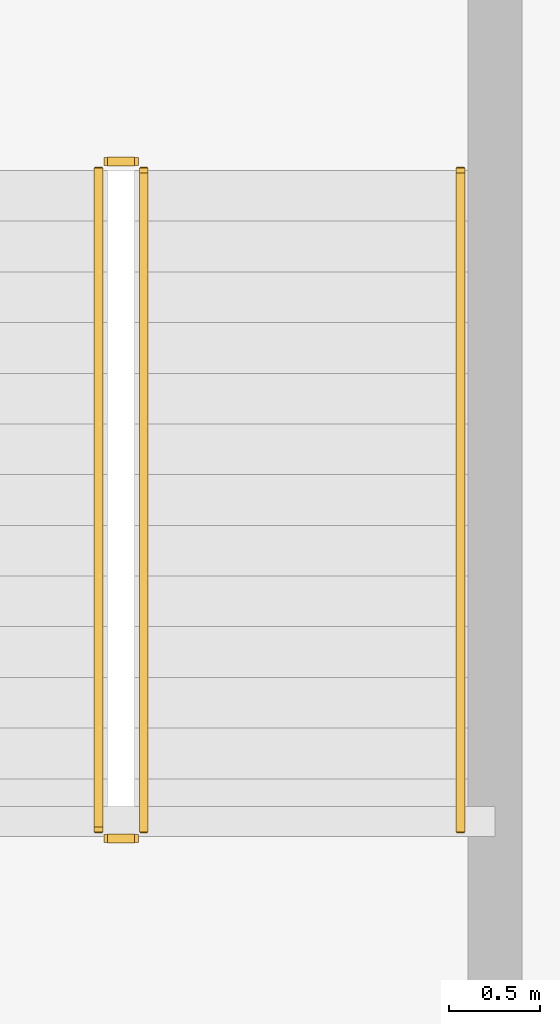
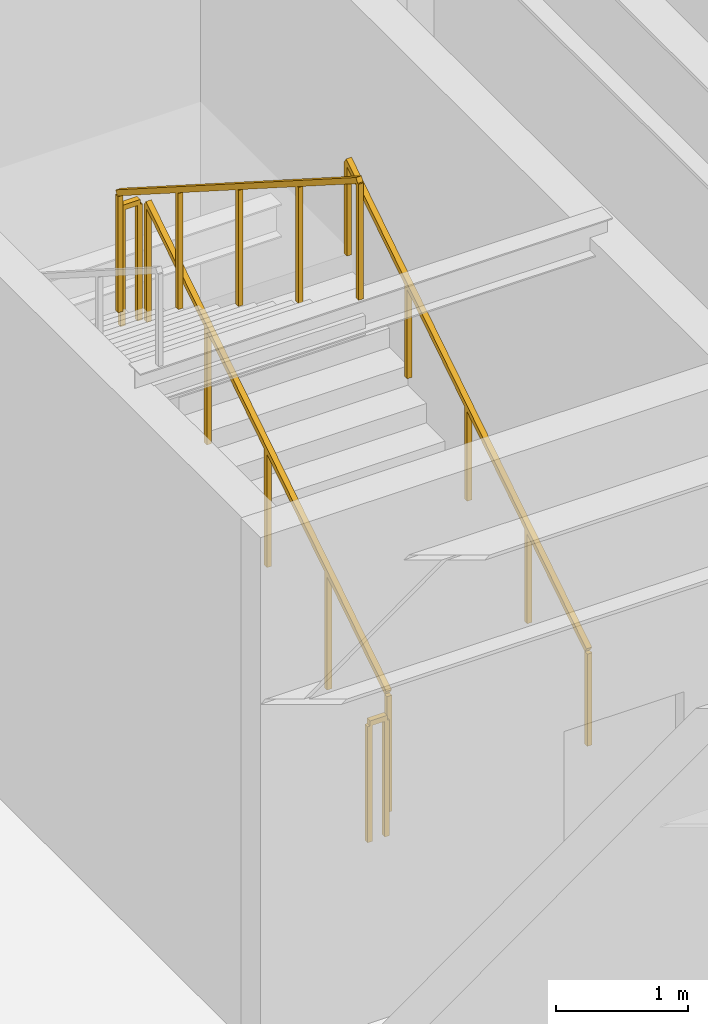
# One storey, part 24 of 24: 5 railings.
"""IFC4 building model written with IfcOpenShell, lengths in metres."""

from ifc_helpers import new_model, si_unit, direction, frame, origin, origin_2d, place, context, subcontext, project, spatial, rectangle, extrude, material, type_object, element, save


model = new_model("IFC4")

# Units and contexts
model_context = context("Model", 3, precision=1e-05, world=origin(), true_north=direction((0.0, 1.0)))
body_context = subcontext(model_context, "Body", "Model", "MODEL_VIEW")
ifc_project = project(units=[si_unit("LENGTHUNIT", "METRE"), si_unit("AREAUNIT", "SQUARE_METRE"), si_unit("VOLUMEUNIT", "CUBIC_METRE"), si_unit("PLANEANGLEUNIT", "RADIAN"), si_unit("MASSUNIT", "GRAM", prefix="KILO")], contexts=[model_context])

# Site, building, storey
site_placement = place(None, origin())
site = spatial("IfcSite", under=ifc_project, at=site_placement, CompositionType="ELEMENT")
building_placement = place(site_placement, origin())
building = spatial("IfcBuilding", under=site, at=building_placement, Name="Vantalir Tower", CompositionType="ELEMENT")
storey_placement = place(building_placement, frame((0.0, 0.0, 11.0)))
storey = spatial("IfcBuildingStorey", under=building, at=storey_placement, Name="L02", CompositionType="ELEMENT", Elevation=11.0)

# Railings
ifc_material_1 = material(Name="Anodised aluminium and stainless steel guard", Category="steel")
railing_type_1 = type_object("IfcRailingType", Name="RAL-GUARD-1120", PredefinedType="GUARDRAIL", material=ifc_material_1)
railing_1_placement = place(storey_placement, frame((57.199951171875, 40.85009765625, 0.178466796875)))
element("IfcRailing", 1, at=railing_1_placement, inside=storey, type_object=railing_type_1, Name="Level 02 PST2 stair guard 1", PredefinedType="GUARDRAIL", context=body_context, shape_type="SweptSolid", body=[
    extrude(rectangle(XDim=0.048095703125, YDim=0.048095703125, at=origin_2d()), frame((0.0, 0.0, 1.09619140625), z_axis=(0.0, 0.843111507901, 0.53773877045), x_axis=(-1.0, 0.0, 0.0)), (0.0, 0.0, 1.0), 4.317138671875),
    extrude(rectangle(XDim=0.0419921875, YDim=0.0419921875, at=origin_2d()), origin(), (0.0, 0.0, 1.0), 1.072021484375),
    extrude(rectangle(XDim=0.0419921875, YDim=0.0419921875, at=origin_2d()), frame((0.0, 0.909912109375, 0.580322265625)), (0.0, 0.0, 1.0), 1.072021484375),
    extrude(rectangle(XDim=0.0419921875, YDim=0.0419921875, at=origin_2d()), frame((0.0, 1.81982421875, 1.16064453125)), (0.0, 0.0, 1.0), 1.072021484375),
    extrude(rectangle(XDim=0.0419921875, YDim=0.0419921875, at=origin_2d()), frame((0.0, 2.72998046875, 1.7412109375)), (0.0, 0.0, 1.0), 1.072021484375),
    extrude(rectangle(XDim=0.0419921875, YDim=0.0419921875, at=origin_2d()), frame((0.0, 3.639892578125, 2.321533203125)), (0.0, 0.0, 1.0), 1.072021484375),
])
railing_2_placement = place(storey_placement, frame((57.14990234375, 44.5400390625, 2.5)))
element("IfcRailing", 2, at=railing_2_placement, inside=storey, type_object=railing_type_1, Name="Level 02 PST2 stair guard 2", PredefinedType="GUARDRAIL", context=body_context, shape_type="SweptSolid", body=[
    extrude(rectangle(XDim=0.048095703125, YDim=0.048095703125, at=origin_2d()), frame((0.0, 0.0, 1.09619140625), z_axis=(-1.0, 0.0, 0.0), x_axis=(0.0, -1.0, 0.0)), (0.0, 0.0, 1.0), 0.14990234375),
    extrude(rectangle(XDim=0.0419921875, YDim=0.0419921875, at=origin_2d()), origin(), (0.0, 0.0, 1.0), 1.072021484375),
    extrude(rectangle(XDim=0.0419921875, YDim=0.0419921875, at=origin_2d()), frame((-0.14990234375, 0.0, 0.0)), (0.0, 0.0, 1.0), 1.072021484375),
])
railing_3_placement = place(storey_placement, frame((56.949951171875, 44.489990234375, 2.678466796875)))
element("IfcRailing", 3, at=railing_3_placement, inside=storey, type_object=railing_type_1, Name="Level 02 PST2 stair guard 3", PredefinedType="GUARDRAIL", context=body_context, shape_type="SweptSolid", body=[
    extrude(rectangle(XDim=0.048095703125, YDim=0.048095703125, at=origin_2d()), frame((0.0, 0.0, 1.09619140625), z_axis=(0.0, -0.843111507901, 0.53773877045), x_axis=(1.0, 0.0, 0.0)), (0.0, 0.0, 1.0), 4.317138671875),
    extrude(rectangle(XDim=0.0419921875, YDim=0.0419921875, at=origin_2d()), origin(), (0.0, 0.0, 1.0), 1.072021484375),
    extrude(rectangle(XDim=0.0419921875, YDim=0.0419921875, at=origin_2d()), frame((0.0, -0.909912109375, 0.580322265625)), (0.0, 0.0, 1.0), 1.072021484375),
    extrude(rectangle(XDim=0.0419921875, YDim=0.0419921875, at=origin_2d()), frame((0.0, -1.81982421875, 1.16064453125)), (0.0, 0.0, 1.0), 1.072021484375),
    extrude(rectangle(XDim=0.0419921875, YDim=0.0419921875, at=origin_2d()), frame((0.0, -2.72998046875, 1.7412109375)), (0.0, 0.0, 1.0), 1.072021484375),
    extrude(rectangle(XDim=0.0419921875, YDim=0.0419921875, at=origin_2d()), frame((0.0, -3.639892578125, 2.321533203125)), (0.0, 0.0, 1.0), 1.072021484375),
])
railing_4_placement = place(storey_placement, frame((57.14990234375, 40.800048828125, 0.0)))
element("IfcRailing", 4, at=railing_4_placement, inside=storey, type_object=railing_type_1, Name="Level 02 PST2 stair guard 4", PredefinedType="GUARDRAIL", context=body_context, shape_type="SweptSolid", body=[
    extrude(rectangle(XDim=0.048095703125, YDim=0.048095703125, at=origin_2d()), frame((0.0, 0.0, 1.09619140625), z_axis=(-1.0, 0.0, 0.0), x_axis=(0.0, -1.0, 0.0)), (0.0, 0.0, 1.0), 0.14990234375),
    extrude(rectangle(XDim=0.0419921875, YDim=0.0419921875, at=origin_2d()), origin(), (0.0, 0.0, 1.0), 1.072021484375),
    extrude(rectangle(XDim=0.0419921875, YDim=0.0419921875, at=origin_2d()), frame((-0.14990234375, 0.0, 0.0)), (0.0, 0.0, 1.0), 1.072021484375),
])
ifc_material_2 = material(Name="Brushed stainless steel tubular handrail", Category="steel")
railing_type_2 = type_object("IfcRailingType", Name="RAL-HANDRAIL-900", PredefinedType="HANDRAIL", material=ifc_material_2)
railing_5_placement = place(storey_placement, frame((58.949951171875, 40.85009765625, 0.178466796875)))
element("IfcRailing", 5, at=railing_5_placement, inside=storey, type_object=railing_type_2, Name="Level 02 PST2 stair handrail 1", PredefinedType="HANDRAIL", context=body_context, shape_type="SweptSolid", body=[
    extrude(rectangle(XDim=0.048095703125, YDim=0.048095703125, at=origin_2d()), frame((0.0, 0.0, 0.8759765625), z_axis=(0.0, 0.843111507901, 0.53773877045), x_axis=(-1.0, 0.0, 0.0)), (0.0, 0.0, 1.0), 4.317138671875),
    extrude(rectangle(XDim=0.0419921875, YDim=0.0419921875, at=origin_2d()), origin(), (0.0, 0.0, 1.0), 0.851806640625),
    extrude(rectangle(XDim=0.0419921875, YDim=0.0419921875, at=origin_2d()), frame((0.0, 0.909912109375, 0.580322265625)), (0.0, 0.0, 1.0), 0.851806640625),
    extrude(rectangle(XDim=0.0419921875, YDim=0.0419921875, at=origin_2d()), frame((0.0, 1.81982421875, 1.16064453125)), (0.0, 0.0, 1.0), 0.851806640625),
    extrude(rectangle(XDim=0.0419921875, YDim=0.0419921875, at=origin_2d()), frame((0.0, 2.72998046875, 1.7412109375)), (0.0, 0.0, 1.0), 0.851806640625),
    extrude(rectangle(XDim=0.0419921875, YDim=0.0419921875, at=origin_2d()), frame((0.0, 3.639892578125, 2.321533203125)), (0.0, 0.0, 1.0), 0.851806640625),
])

save(model, "model.ifc")
